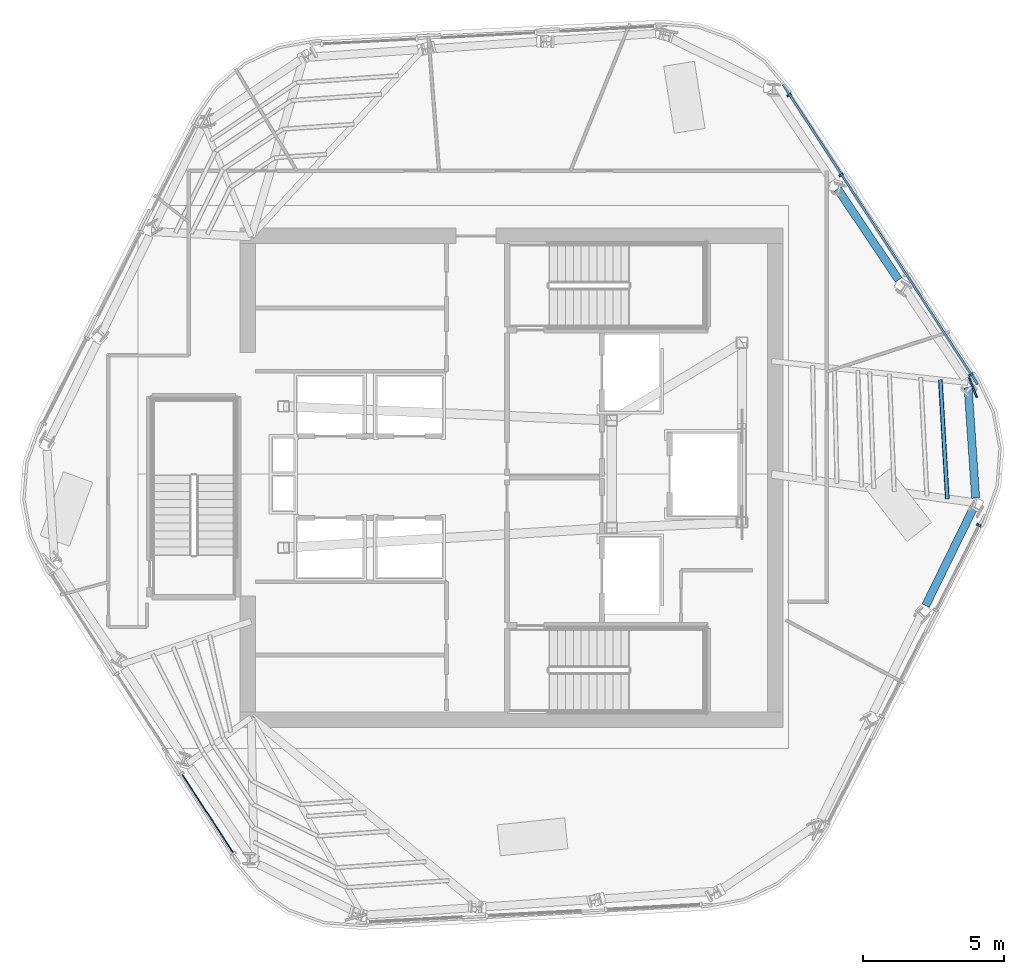
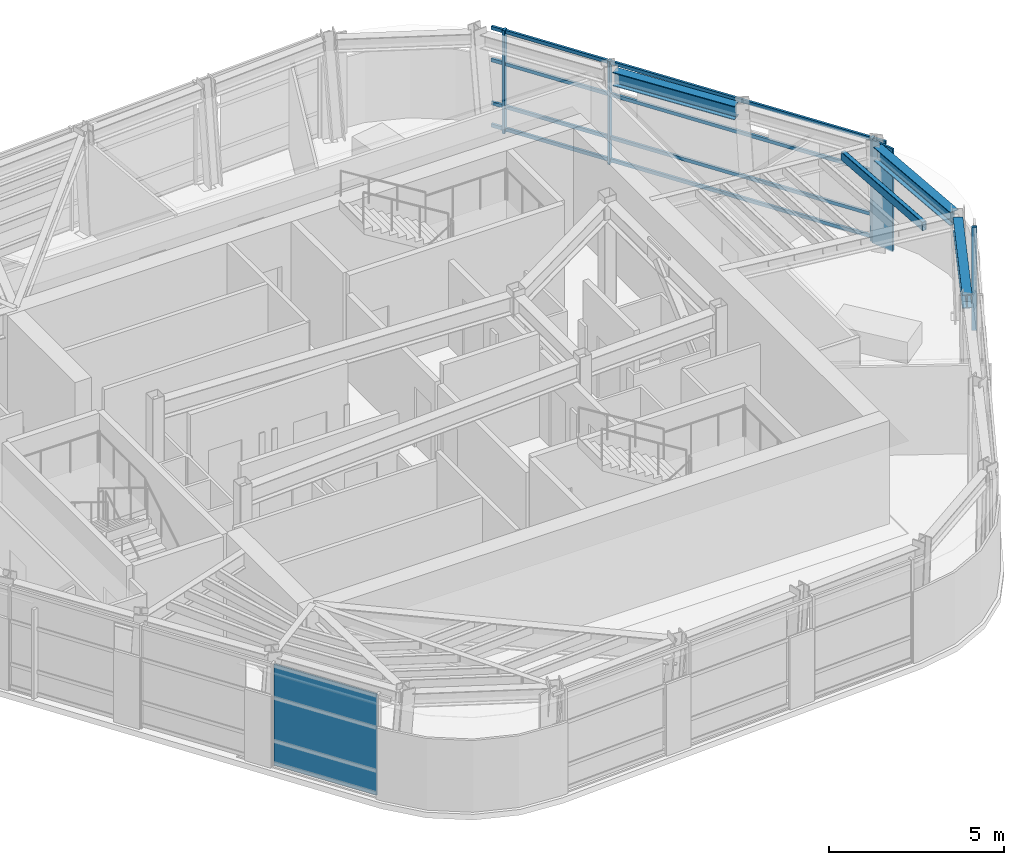
# One storey, part 5 of 13: 10 members, 3 beams, 1 plate, 3 elements without a shape of their own.
"""IFC4 building model written with IfcOpenShell, lengths in metres."""

from ifc_helpers import new_model, si_unit, direction, frame, origin, origin_2d, place, context, subcontext, project, spatial, rectangle, hollow_rectangle, i_section, extrude, material, layer, layer_set, material_profile, profile_set, type_object, element, aggregate, save


model = new_model("IFC4")

# Units and contexts
model_context = context("Model", 3, precision=1e-05, world=origin(), true_north=direction((0.0, 1.0)))
body_context = subcontext(model_context, "Body", "Model", "MODEL_VIEW")
ifc_project = project(units=[si_unit("LENGTHUNIT", "METRE"), si_unit("AREAUNIT", "SQUARE_METRE"), si_unit("VOLUMEUNIT", "CUBIC_METRE"), si_unit("PLANEANGLEUNIT", "RADIAN"), si_unit("MASSUNIT", "GRAM", prefix="KILO")], contexts=[model_context])

# Site, building, storey
site_placement = place(None, origin())
site = spatial("IfcSite", under=ifc_project, at=site_placement, CompositionType="ELEMENT")
building_placement = place(site_placement, origin())
building = spatial("IfcBuilding", under=site, at=building_placement, Name="Valkerne Bourse Tower", CompositionType="ELEMENT")
storey_placement = place(building_placement, frame((0.0, 0.0, 296.39990234375)))
storey = spatial("IfcBuildingStorey", under=building, at=storey_placement, Name="L75", CompositionType="ELEMENT", Elevation=296.39990234375)

# Beams
ifc_material_1 = material(Name="Steel ASTM A992", Category="steel")
ifc_material_profile_1 = material_profile(ifc_material_1, i_section(OverallWidth=0.284423828125, OverallDepth=0.47509765625, WebThickness=0.014892578125, FlangeThickness=0.02392578125, FilletRadius=0.017822265625, at=origin_2d()), Name="W18X106")
ifc_profile_set_1 = profile_set([ifc_material_profile_1], Name="Steel ASTM A992")
beam_type = type_object("IfcBeamType", Name="BM-W18X106", PredefinedType="BEAM", material=ifc_profile_set_1)
beam_1_placement = place(storey_placement, frame((61.4501953125, 22.357421875, 3.362548828125), z_axis=(0.439934908185, 0.898029663519, 0.0), x_axis=(-0.898029663519, 0.439934908185, 0.0)))
element("IfcBeam", 1, at=beam_1_placement, inside=storey, type_object=beam_type, Name="L75 Hexagonal Spandrel Ring Beam 18", PredefinedType="BEAM", context=body_context, shape_type="SweptSolid", body=[
    extrude(i_section(OverallWidth=0.284423828125, OverallDepth=0.47509765625, WebThickness=0.014892578125, FlangeThickness=0.02392578125, FilletRadius=0.017822265625, at=origin_2d()), origin(), (0.0, 0.0, 1.0), 3.871826171875),
])
beam_2_placement = place(storey_placement, frame((63.216796875, 26.15673828125, 3.362548828125), z_axis=(-0.067959007905, 0.997688114214, 0.0), x_axis=(-0.997688114214, -0.067959007905, 0.0)))
element("IfcBeam", 2, at=beam_2_placement, inside=storey, type_object=beam_type, Name="L75 Hexagonal Spandrel Ring Beam 19", PredefinedType="BEAM", context=body_context, shape_type="SweptSolid", body=[
    extrude(i_section(OverallWidth=0.284423828125, OverallDepth=0.47509765625, WebThickness=0.014892578125, FlangeThickness=0.02392578125, FilletRadius=0.017822265625, at=origin_2d()), origin(), (0.0, 0.0, 1.0), 3.915771484375),
])
beam_3_placement = place(storey_placement, frame((60.4951171875, 33.8701171875, 3.362548828125), z_axis=(-0.557795454638, 0.829978452001, 0.0), x_axis=(-0.829978452001, -0.557795454638, 0.0)))
element("IfcBeam", 3, at=beam_3_placement, inside=storey, type_object=beam_type, Name="L75 Hexagonal Spandrel Ring Beam 21", PredefinedType="BEAM", context=body_context, shape_type="SweptSolid", body=[
    extrude(i_section(OverallWidth=0.284423828125, OverallDepth=0.47509765625, WebThickness=0.014892578125, FlangeThickness=0.02392578125, FilletRadius=0.017822265625, at=origin_2d()), origin(), (0.0, 0.0, 1.0), 3.872314453125),
])

# Curtain wall, member
ifc_material_2 = material(Name="Aluminium AA 6063-T6", Category="aluminium")
ifc_layer_1 = layer(ifc_material_2, 0.2451171875)
ifc_layer_set_1 = layer_set([ifc_layer_1], Name="Aluminium AA 6063-T6")
curtain_wall_type = type_object("IfcCurtainWallType", Name="CW-05", PredefinedType="NOTDEFINED", material=ifc_layer_set_1)
curtain_wall_1_placement = place(storey_placement, origin())
curtain_wall_1 = element("IfcCurtainWall", 4, at=curtain_wall_1_placement, inside=storey, type_object=curtain_wall_type, Name="L75 Hexagonal Stick Curtain Wall Face 5", PredefinedType="NOTDEFINED")
ifc_material_profile_2 = material_profile(ifc_material_2, rectangle(XDim=0.074951171875, YDim=0.159912109375, at=origin_2d()), Name="CWM-75X160")
ifc_profile_set_2 = profile_set([ifc_material_profile_2], Name="Aluminium AA 6063-T6")
member_type_1 = type_object("IfcMemberType", Name="CW-MUL-160X75", PredefinedType="MULLION", material=ifc_profile_set_2)
member_1_placement = place(storey_placement, frame((63.32275390625, 25.20068359375, 0.0), z_axis=(0.0, 0.0, 1.0), x_axis=(0.453990865515, 0.891006337817, 0.0)))
member_1 = element("IfcMember", 5, at=member_1_placement, type_object=member_type_1, Name="CW-L75-F5 Jamb Mullion 02B", PredefinedType="MULLION", context=body_context, shape_type="SweptSolid", body=[
    extrude(rectangle(XDim=0.074951171875, YDim=0.159912109375, at=origin_2d()), origin(), (0.0, 0.0, 1.0), 3.60009765625),
])
aggregate(curtain_wall_1, [member_1])

# Curtain wall, members
curtain_wall_2_placement = place(storey_placement, origin())
curtain_wall_2 = element("IfcCurtainWall", 6, at=curtain_wall_2_placement, inside=storey, type_object=curtain_wall_type, Name="L75 Hexagonal Stick Curtain Wall Face 6", PredefinedType="NOTDEFINED")
member_2_placement = place(storey_placement, frame((63.044189453125, 30.5166015625, 0.0), z_axis=(0.0, 0.0, 1.0), x_axis=(-0.544633637344, 0.838674073209, 0.0)))
member_2 = element("IfcMember", 7, at=member_2_placement, type_object=member_type_1, Name="CW-L75-F6 Jamb Mullion 00A", PredefinedType="MULLION", context=body_context, shape_type="SweptSolid", body=[
    extrude(rectangle(XDim=0.074951171875, YDim=0.159912109375, at=origin_2d()), origin(), (0.0, 0.0, 1.0), 3.60009765625),
])
member_3_placement = place(storey_placement, frame((58.4560546875, 37.58154296875, 0.0), z_axis=(0.0, 0.0, 1.0), x_axis=(-0.544633637344, 0.838674073209, 0.0)))
member_3 = element("IfcMember", 8, at=member_3_placement, type_object=member_type_1, Name="CW-L75-F6 Jamb Mullion 02A", PredefinedType="MULLION", context=body_context, shape_type="SweptSolid", body=[
    extrude(rectangle(XDim=0.074951171875, YDim=0.159912109375, at=origin_2d()), origin(), (0.0, 0.0, 1.0), 3.60009765625),
])
member_4_placement = place(storey_placement, frame((56.61962890625, 40.409423828125, 0.0), z_axis=(0.0, 0.0, 1.0), x_axis=(-0.544633637344, 0.838674073209, 0.0)))
member_4 = element("IfcMember", 9, at=member_4_placement, type_object=member_type_1, Name="CW-L75-F6 Jamb Mullion 02B", PredefinedType="MULLION", context=body_context, shape_type="SweptSolid", body=[
    extrude(rectangle(XDim=0.074951171875, YDim=0.159912109375, at=origin_2d()), origin(), (0.0, 0.0, 1.0), 3.60009765625),
])
ifc_material_profile_3 = material_profile(ifc_material_2, rectangle(XDim=0.074951171875, YDim=0.1201171875, at=origin_2d()), Name="CWT-75X120")
ifc_profile_set_3 = profile_set([ifc_material_profile_3], Name="Aluminium AA 6063-T6")
member_type_2 = type_object("IfcMemberType", Name="CW-TRN-120X75", PredefinedType="USERDEFINED", material=ifc_profile_set_3)
member_5_placement = place(storey_placement, frame((63.289794921875, 30.17529296875, 0.1201171875), z_axis=(-0.544641271926, 0.838669115274, 0.0), x_axis=(-0.838669115274, -0.544641271926, 0.0)))
member_5 = element("IfcMember", 10, at=member_5_placement, type_object=member_type_2, Name="CW-L75-F6 Continuous Face Transom 1", ObjectType="TRANSOM", PredefinedType="USERDEFINED", context=body_context, shape_type="SweptSolid", body=[
    extrude(rectangle(XDim=0.074951171875, YDim=0.1201171875, at=origin_2d()), origin(), (0.0, 0.0, 1.0), 12.635986328125),
])
member_6_placement = place(storey_placement, frame((63.289794921875, 30.17529296875, 0.900146484375), z_axis=(-0.544641271926, 0.838669115274, 0.0), x_axis=(-0.838669115274, -0.544641271926, 0.0)))
member_6 = element("IfcMember", 11, at=member_6_placement, type_object=member_type_2, Name="CW-L75-F6 Continuous Face Transom 2", ObjectType="TRANSOM", PredefinedType="USERDEFINED", context=body_context, shape_type="SweptSolid", body=[
    extrude(rectangle(XDim=0.074951171875, YDim=0.1201171875, at=origin_2d()), origin(), (0.0, 0.0, 1.0), 12.635986328125),
])
member_7_placement = place(storey_placement, frame((63.289794921875, 30.17529296875, 2.400146484375), z_axis=(-0.544641271926, 0.838669115274, 0.0), x_axis=(-0.838669115274, -0.544641271926, 0.0)))
member_7 = element("IfcMember", 12, at=member_7_placement, type_object=member_type_2, Name="CW-L75-F6 Continuous Face Transom 3", ObjectType="TRANSOM", PredefinedType="USERDEFINED", context=body_context, shape_type="SweptSolid", body=[
    extrude(rectangle(XDim=0.074951171875, YDim=0.1201171875, at=origin_2d()), origin(), (0.0, 0.0, 1.0), 12.635986328125),
])
member_8_placement = place(storey_placement, frame((63.289794921875, 30.17529296875, 3.52001953125), z_axis=(-0.544641271926, 0.838669115274, 0.0), x_axis=(-0.838669115274, -0.544641271926, 0.0)))
member_8 = element("IfcMember", 13, at=member_8_placement, type_object=member_type_2, Name="CW-L75-F6 Continuous Face Transom 4", ObjectType="TRANSOM", PredefinedType="USERDEFINED", context=body_context, shape_type="SweptSolid", body=[
    extrude(rectangle(XDim=0.074951171875, YDim=0.1201171875, at=origin_2d()), origin(), (0.0, 0.0, 1.0), 12.635986328125),
])
aggregate(curtain_wall_2, [member_5, member_6, member_7, member_8, member_2, member_3, member_4])

# Members
ifc_material_3 = material(Name="Bronze Anodised Aluminium AA 6063-T6", Category="aluminium")
ifc_material_profile_4 = material_profile(ifc_material_3, rectangle(XDim=0.06494140625, YDim=0.75, at=origin_2d()), Name="FIN-65X750")
ifc_profile_set_4 = profile_set([ifc_material_profile_4], Name="Bronze Anodised Aluminium AA 6063-T6")
member_type_3 = type_object("IfcMemberType", Name="FIN-SOLAR-650", PredefinedType="USERDEFINED", material=ifc_profile_set_4)
member_9_placement = place(storey_placement, frame((63.1220703125, 30.066162109375, 0.004150390625), z_axis=(0.0, 0.0, 1.0), x_axis=(0.930660974858, 0.365882699613, 0.0)))
element("IfcMember", 14, at=member_9_placement, inside=storey, type_object=member_type_3, Name="L75 Bronze Anodised Solar Fin F6-00", ObjectType="SOLAR_FIN", PredefinedType="USERDEFINED", context=body_context, shape_type="SweptSolid", body=[
    extrude(rectangle(XDim=0.06494140625, YDim=0.75, at=origin_2d()), origin(), (0.0, 0.0, 1.0), 3.592041015625),
])
ifc_material_4 = material(Name="Steel ASTM A500 Grade C", Category="steel")
ifc_material_profile_5 = material_profile(ifc_material_4, hollow_rectangle(XDim=0.14990234375, YDim=0.300048828125, WallThickness=0.012451171875, OuterFilletRadius=0.02490234375, at=origin_2d()), Name="HSS300X150X12.5")
ifc_profile_set_5 = profile_set([ifc_material_profile_5], Name="Steel ASTM A500 Grade C")
member_type_4 = type_object("IfcMemberType", Name="MBR-HSS300X150X12.5", PredefinedType="PURLIN", material=ifc_profile_set_5)
member_10_placement = place(storey_placement, frame((62.21630859375, 26.12890625, 3.440185546875), z_axis=(-0.058969664399, 0.998259775149, 0.0), x_axis=(-0.998259775149, -0.058969664399, 0.0)))
element("IfcMember", 15, at=member_10_placement, inside=storey, type_object=member_type_4, Name="L75 Secondary Composite Floor Purlin T-19", PredefinedType="PURLIN", context=body_context, shape_type="SweptSolid", body=[
    extrude(hollow_rectangle(XDim=0.14990234375, YDim=0.300048828125, WallThickness=0.012451171875, OuterFilletRadius=0.02490234375, at=origin_2d()), origin(), (0.0, 0.0, 1.0), 4.21875),
])

# Curtain wall, plate
curtain_wall_3_placement = place(storey_placement, origin())
curtain_wall_3 = element("IfcCurtainWall", 16, at=curtain_wall_3_placement, inside=storey, type_object=curtain_wall_type, Name="L75 Hexagonal Stick Curtain Wall Face 3", PredefinedType="NOTDEFINED")
ifc_material_5 = material(Name="Glass IGU Low-E Double Glazed", Category="glass")
ifc_layer_2 = layer(ifc_material_5, 0.031982421875)
ifc_layer_set_2 = layer_set([ifc_layer_2], Name="Glass IGU Low-E Double Glazed")
plate_type = type_object("IfcPlateType", Name="CW-PNL-IGU-32", PredefinedType="CURTAIN_PANEL", material=ifc_layer_set_2)
plate_placement = place(storey_placement, frame((36.062255859375, 15.00439453125, 0.030029296875), z_axis=(0.0, 0.0, 1.0), x_axis=(0.544633637344, -0.838674073209, 0.0)))
plate = element("IfcPlate", 17, at=plate_placement, type_object=plate_type, Name="CW-L75-F3 Curtain Panel 02", PredefinedType="CURTAIN_PANEL", context=body_context, shape_type="SweptSolid", body=[
    extrude(rectangle(XDim=3.2919921875, YDim=0.031982421875, at=origin_2d()), origin(), (0.0, 0.0, 1.0), 3.5400390625),
])
aggregate(curtain_wall_3, [plate])

save(model, "model.ifc")
